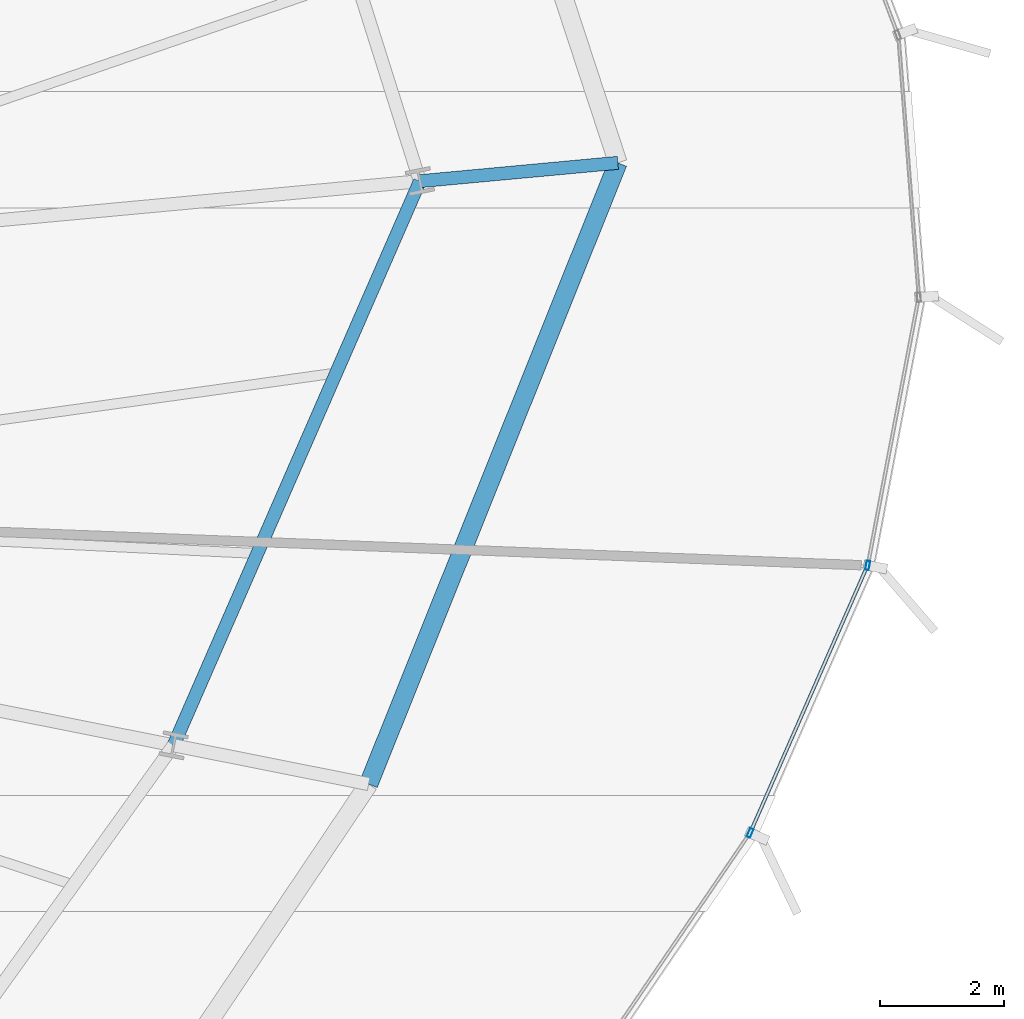
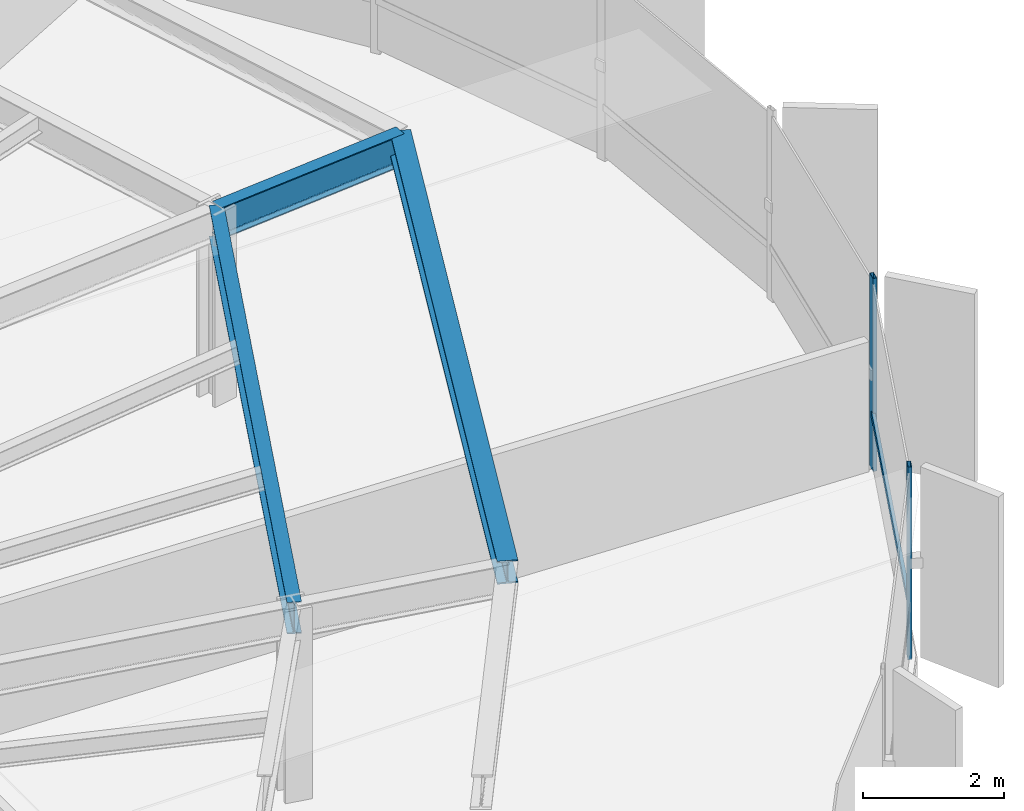
# One storey, part 15 of 35: 3 beams, 3 members, 1 element without a shape of its own.
"""IFC4 building model written with IfcOpenShell, lengths in metres."""

import ifcopenshell
import ifcopenshell.guid

model = None  # the IFC model being written
_history = None  # IfcOwnerHistory: only IFC2X3 demands one
_inside = {}  # id of a spatial element -> (the spatial element, [elements in it])
_under = {}  # id of a project, library or spatial element -> (it, [spatial elements below it])
_declared = {}  # id of a project -> (the project, [libraries it declares])
_typed = {}  # id of a type object -> (the type object, [elements of that type])
_made_of = {}  # id of a material, layer set ... -> (it, [elements and type objects made of it])


def new_model(schema):
    """Start an empty IFC model of exactly this schema.

    Asked for "IFC4X3", IfcOpenShell would pick the latest addendum, in which some entities
    have other attributes; the version numbers below select the first issue.
    IFC2X3 requires an IfcOwnerHistory on every rooted entity: one is made here for all.
    """
    global model, _history
    if schema == "IFC4X3":
        model = ifcopenshell.file(schema_version=(4, 3, 0, 0))
    else:
        model = ifcopenshell.file(schema=schema)
    _inside.clear()
    _under.clear()
    _declared.clear()
    _typed.clear()
    _made_of.clear()
    _history = None
    if model.schema == "IFC2X3":
        org = make("IfcOrganization", Name="unknown")
        user = make(
            "IfcPersonAndOrganization",
            ThePerson=make("IfcPerson", FamilyName="unknown"),
            TheOrganization=org,
        )
        app = make(
            "IfcApplication",
            ApplicationDeveloper=org,
            Version="unknown",
            ApplicationFullName="unknown",
            ApplicationIdentifier="unknown",
        )
        _history = make(
            "IfcOwnerHistory",
            OwningUser=user,
            OwningApplication=app,
            ChangeAction="ADDED",
            CreationDate=0,
        )
    return model


def make(cls, **values):
    """One entity of the class cls with the attributes given. An attribute that is None is left unset."""
    return model.create_entity(
        cls, **{name: value for name, value in values.items() if value is not None}
    )


def rooted(cls, **values):
    """An entity with a GlobalId (a new one), such as an element, a storey or a relation."""
    return make(cls, GlobalId=ifcopenshell.guid.new(), OwnerHistory=_history, **values)


def si_unit(unit_type, name, prefix=None):
    """IfcSIUnit, for example si_unit("LENGTHUNIT", "METRE", prefix="MILLI")."""
    return make("IfcSIUnit", UnitType=unit_type, Prefix=prefix, Name=name)


def assignment(units):
    """IfcUnitAssignment: the units of a project."""
    return None if units is None else make("IfcUnitAssignment", Units=units)


def point(xyz):
    """IfcCartesianPoint."""
    return None if xyz is None else make("IfcCartesianPoint", Coordinates=xyz)


def direction(xyz):
    """IfcDirection."""
    return None if xyz is None else make("IfcDirection", DirectionRatios=xyz)


def frame(location, z_axis=None, x_axis=None):
    """IfcAxis2Placement3D, a coordinate frame: its origin and axes. An axis left out is left unset."""
    return make(
        "IfcAxis2Placement3D",
        Location=point(location),
        Axis=direction(z_axis),
        RefDirection=direction(x_axis),
    )


def frame_2d(location, x_axis=None):
    """IfcAxis2Placement2D, a coordinate frame in the plane: its origin and x axis."""
    return make(
        "IfcAxis2Placement2D", Location=point(location), RefDirection=direction(x_axis)
    )


def origin():
    """The frame at (0, 0, 0) with its axes left unset."""
    return frame((0.0, 0.0, 0.0))


def origin_2d():
    """The frame at (0, 0) in the plane with its x axis left unset."""
    return frame_2d((0.0, 0.0))


def place(relative_to, where):
    """IfcLocalPlacement: puts the frame where relative to a parent placement (None: the world)."""
    return make(
        "IfcLocalPlacement", PlacementRelTo=relative_to, RelativePlacement=where
    )


def context(
    kind, dimensions, precision=None, world=None, true_north=None, identifier=None
):
    """IfcGeometricRepresentationContext, for example the 3D "Model" context."""
    return make(
        "IfcGeometricRepresentationContext",
        ContextIdentifier=identifier,
        ContextType=kind,
        CoordinateSpaceDimension=dimensions,
        Precision=precision,
        WorldCoordinateSystem=world,
        TrueNorth=true_north,
    )


def subcontext(parent, identifier, kind, view, scale=None):
    """IfcGeometricRepresentationSubContext, for example "Body" below "Model"."""
    return make(
        "IfcGeometricRepresentationSubContext",
        ContextIdentifier=identifier,
        ContextType=kind,
        ParentContext=parent,
        TargetScale=scale,
        TargetView=view,
    )


def project(units=None, contexts=None):
    """IfcProject with its units and contexts."""
    return rooted(
        "IfcProject",
        Name="project",
        RepresentationContexts=contexts,
        UnitsInContext=assignment(units),
    )


def spatial(cls, under=None, at=None, **own):
    """A site, building, storey or space (cls), placed at a placement, below another one or the project."""
    s = rooted(cls, ObjectPlacement=at, **own)
    if under is not None:
        _under.setdefault(under.id(), (under, []))[1].append(s)
    return s


def profile(cls, at=None, kind="AREA", **sizes):
    """A parametric profile (cls). Its sizes go by their IFC names, for example OverallWidth=200.0."""
    return make(cls, ProfileType=kind, Position=at, **sizes)


def hollow_rectangle(**sizes):
    """IfcRectangleHollowProfileDef."""
    return profile("IfcRectangleHollowProfileDef", **sizes)


def i_section(**sizes):
    """IfcIShapeProfileDef."""
    return profile("IfcIShapeProfileDef", **sizes)


def extrude(swept, where, along, depth):
    """IfcExtrudedAreaSolid: the profile swept, set in the frame where, extruded along a direction by depth."""
    return make(
        "IfcExtrudedAreaSolid",
        SweptArea=swept,
        Position=where,
        ExtrudedDirection=direction(along),
        Depth=depth,
    )


def shape(context_of_items, identifier, shape_type, items):
    """IfcShapeRepresentation: the items that make up one representation, for example the "Body"."""
    return make(
        "IfcShapeRepresentation",
        ContextOfItems=context_of_items,
        RepresentationIdentifier=identifier,
        RepresentationType=shape_type,
        Items=items,
    )


def source(mapping_origin, context_of_items, identifier, shape_type, items):
    """IfcRepresentationMap: a shape defined once, which mapped items show again and again."""
    return make(
        "IfcRepresentationMap",
        MappingOrigin=mapping_origin,
        MappedRepresentation=shape(context_of_items, identifier, shape_type, items),
    )


def transform(
    local_origin,
    x_axis=None,
    y_axis=None,
    z_axis=None,
    scale=None,
    scale2=None,
    scale3=None,
    uniform=True,
):
    """IfcCartesianTransformationOperator3D, or its non-uniform kind. x_axis, y_axis, z_axis: its Axis1, 2, 3."""
    if uniform:
        return make(
            "IfcCartesianTransformationOperator3D",
            Axis1=direction(x_axis),
            Axis2=direction(y_axis),
            LocalOrigin=point(local_origin),
            Scale=scale,
            Axis3=direction(z_axis),
        )
    return make(
        "IfcCartesianTransformationOperator3DnonUniform",
        Axis1=direction(x_axis),
        Axis2=direction(y_axis),
        LocalOrigin=point(local_origin),
        Scale=scale,
        Axis3=direction(z_axis),
        Scale2=scale2,
        Scale3=scale3,
    )


def mapped(mapping_source, mapping_target):
    """IfcMappedItem: shows the shape of a source again, moved by a transform."""
    return make(
        "IfcMappedItem", MappingSource=mapping_source, MappingTarget=mapping_target
    )


def material(Name=None, Category=None):
    """IfcMaterial."""
    return make("IfcMaterial", Name=Name, Category=Category)


def layer(
    of_material, thickness, ventilated=None, Name=None, Category=None, Priority=None
):
    """IfcMaterialLayer: one layer of a wall or slab, of a material (None: an air gap)."""
    return make(
        "IfcMaterialLayer",
        Material=of_material,
        LayerThickness=thickness,
        IsVentilated=ventilated,
        Name=Name,
        Category=Category,
        Priority=Priority,
    )


def layer_set(layers, Name=None):
    """IfcMaterialLayerSet."""
    return make("IfcMaterialLayerSet", MaterialLayers=layers, LayerSetName=Name)


def material_profile(
    of_material, cross_section, Name=None, Category=None, Priority=None
):
    """IfcMaterialProfile: a cross section and its material."""
    return make(
        "IfcMaterialProfile",
        Name=Name,
        Material=of_material,
        Profile=cross_section,
        Priority=Priority,
        Category=Category,
    )


def profile_set(profiles, Name=None, composite=None):
    """IfcMaterialProfileSet."""
    return make(
        "IfcMaterialProfileSet",
        Name=Name,
        MaterialProfiles=profiles,
        CompositeProfile=composite,
    )


def made_of(thing, what):
    """Note that an element or type object is made of a material, layer set ...; save() writes the relation."""
    if what is not None:
        _made_of.setdefault(what.id(), (what, []))[1].append(thing)
    return thing


def type_object(cls, material=None, **own):
    """A type object (cls), such as IfcWallType, which elements share."""
    return made_of(rooted(cls, **own), material)


def element(
    cls,
    number,
    at=None,
    inside=None,
    cuts=None,
    type_object=None,
    material=None,
    context=None,
    identifier="Body",
    shape_type=None,
    held_by="IfcProductDefinitionShape",
    body=None,
    shapes=None,
    **own,
):
    """One element of the class cls, such as IfcWall. Its Tag is "e" and its number.

    at: its placement. inside: the storey or other place that contains it. cuts: it is an
    opening in that element (IfcRelVoidsElement). A single representation is given by context,
    identifier, shape_type and body (its items); several are given by shapes. held_by: the class
    of the entity that holds the representations. save() writes the other relations.
    """
    e = rooted(cls, Tag="e%d" % number, ObjectPlacement=at, **own)
    if body is not None:
        shapes = [shape(context, identifier, shape_type, body)]
    if shapes is not None:
        e.Representation = make(held_by, Representations=shapes)
    if inside is not None:
        _inside.setdefault(inside.id(), (inside, []))[1].append(e)
    if cuts is not None:
        rooted(
            "IfcRelVoidsElement", RelatingBuildingElement=cuts, RelatedOpeningElement=e
        )
    if type_object is not None:
        _typed.setdefault(type_object.id(), (type_object, []))[1].append(e)
    return made_of(e, material)


def aggregate(whole, parts):
    """IfcRelAggregates: a whole, such as a stair, and the parts it consists of."""
    return rooted("IfcRelAggregates", RelatingObject=whole, RelatedObjects=parts)


def save(model, path):
    """Write the relations noted so far, then the file.

    IfcRelAggregates (storeys below a building ...), IfcRelContainedInSpatialStructure (elements
    in a storey), IfcRelDefinesByType, IfcRelAssociatesMaterial and IfcRelDeclares: one each for
    every whole, place, type object, material and project.
    """
    for whole, parts in _under.values():
        aggregate(whole, parts)
    for where, things in _inside.values():
        rooted(
            "IfcRelContainedInSpatialStructure",
            RelatedElements=things,
            RelatingStructure=where,
        )
    for kind, things in _typed.values():
        rooted("IfcRelDefinesByType", RelatedObjects=things, RelatingType=kind)
    for what, things in _made_of.values():
        rooted("IfcRelAssociatesMaterial", RelatedObjects=things, RelatingMaterial=what)
    for by, libraries in _declared.values():
        rooted("IfcRelDeclares", RelatingContext=by, RelatedDefinitions=libraries)
    model.write(path)


model = new_model("IFC4")

# Units and contexts
model_context = context("Model", 3, precision=1e-05, world=origin(), true_north=direction((0.0, 1.0)))
body_context = subcontext(model_context, "Body", "Model", "MODEL_VIEW")
ifc_project = project(units=[si_unit("LENGTHUNIT", "METRE"), si_unit("AREAUNIT", "SQUARE_METRE"), si_unit("VOLUMEUNIT", "CUBIC_METRE"), si_unit("PLANEANGLEUNIT", "RADIAN"), si_unit("MASSUNIT", "GRAM", prefix="KILO"), si_unit("THERMODYNAMICTEMPERATUREUNIT", "KELVIN")], contexts=[model_context])

# Site, building, storey
site_placement = place(None, origin())
site = spatial("IfcSite", under=ifc_project, at=site_placement, CompositionType="ELEMENT")
building_placement = place(site_placement, origin())
building = spatial("IfcBuilding", under=site, at=building_placement, Name="Kethvar Cultural Tower", CompositionType="ELEMENT")
storey_placement = place(building_placement, frame((0.0, 0.0, 85.60009765625)))
storey = spatial("IfcBuildingStorey", under=building, at=storey_placement, Name="L20", CompositionType="ELEMENT", Elevation=85.60009765625)

# Beams
ifc_material_1 = material(Name="Steel S355J2", Category="steel")
ifc_material_profile_1 = material_profile(ifc_material_1, i_section(OverallWidth=0.2099609375, OverallDepth=0.550048828125, WebThickness=0.010986328125, FlangeThickness=0.01708984375, FilletRadius=0.02392578125, at=origin_2d()), Name="Steel S355J2 — IPE550")
ifc_profile_set_1 = profile_set([ifc_material_profile_1], Name="Steel S355J2 — IPE550")
beam_type_1 = type_object("IfcBeamType", Name="BM-IPE550", PredefinedType="BEAM", material=ifc_profile_set_1)
shared_shape_1 = source(origin(), body_context, "Body", "SweptSolid", [
    extrude(i_section(OverallWidth=0.2099609375, OverallDepth=0.550048828125, WebThickness=0.010986328125, FlangeThickness=0.01708984375, FilletRadius=0.02392578125, at=origin_2d()), origin(), (0.0, 0.0, 1.0), 3.199951171875),
])
beam_1_placement = place(storey_placement, frame((71.6025390625, 32.7333984375, 3.072998046875), z_axis=(0.995729641608, 0.092317283453, 0.0), x_axis=(-0.092317283453, 0.995729641608, 0.0)))
element("IfcBeam", 1, at=beam_1_placement, inside=storey, type_object=beam_type_1, Name="L20 Perimeter Cantilever Beam RC-01", PredefinedType="BEAM", context=body_context, shape_type="MappedRepresentation", body=[
    mapped(shared_shape_1, transform((0.0, 0.0, 0.0), scale=1.0)),
])
shared_shape_2 = source(origin(), body_context, "Body", "SweptSolid", [
    extrude(i_section(OverallWidth=0.2099609375, OverallDepth=0.550048828125, WebThickness=0.010986328125, FlangeThickness=0.01708984375, FilletRadius=0.02392578125, at=origin_2d()), origin(), (0.0, 0.0, 1.0), 9.90625),
])
beam_2_placement = place(storey_placement, frame((67.638671875, 23.65478515625, 3.072998046875), z_axis=(0.400138679026, 0.916454602011, 0.0), x_axis=(-0.916454602011, 0.400138679026, 0.0)))
element("IfcBeam", 2, at=beam_2_placement, inside=storey, type_object=beam_type_1, Name="L20 Column Ring Tie Beam CR-16", PredefinedType="BEAM", context=body_context, shape_type="MappedRepresentation", body=[
    mapped(shared_shape_2, transform((0.0, 0.0, 0.0), scale=1.0)),
])
ifc_material_profile_2 = material_profile(ifc_material_1, i_section(OverallWidth=0.300048828125, OverallDepth=0.39990234375, WebThickness=0.013427734375, FlangeThickness=0.02392578125, FilletRadius=0.027099609375, at=origin_2d()), Name="Steel S355J2 — HEB400")
ifc_profile_set_2 = profile_set([ifc_material_profile_2], Name="Steel S355J2 — HEB400")
beam_type_2 = type_object("IfcBeamType", Name="BM-SP400", PredefinedType="SPANDREL", material=ifc_profile_set_2)
shared_shape_3 = source(origin(), body_context, "Body", "SweptSolid", [
    extrude(i_section(OverallWidth=0.300048828125, OverallDepth=0.39990234375, WebThickness=0.013427734375, FlangeThickness=0.02392578125, FilletRadius=0.027099609375, at=origin_2d()), origin(), (0.0, 0.0, 1.0), 10.773193359375),
])
beam_3_placement = place(storey_placement, frame((70.777099609375, 23.030517578125, 3.14794921875), z_axis=(0.372382905959, 0.928079183771, 0.0), x_axis=(-0.928079183771, 0.372382905959, 0.0)))
element("IfcBeam", 3, at=beam_3_placement, inside=storey, type_object=beam_type_2, Name="L20 Perimeter Spandrel Beam SP-16", PredefinedType="SPANDREL", context=body_context, shape_type="MappedRepresentation", body=[
    mapped(shared_shape_3, transform((0.0, 0.0, 0.0), scale=1.0)),
])

# Curtain wall, members
ifc_material_2 = material(Name="Aluminium 6063-T6", Category="aluminium")
ifc_layer = layer(ifc_material_2, 0.179931640625, Name="Aluminium 6063-T6", Category="aluminium")
ifc_layer_set = layer_set([ifc_layer], Name="Aluminium 6063-T6 (180 mm)")
curtain_wall_type = type_object("IfcCurtainWallType", Name="CW-SYS-03-Z2", PredefinedType="NOTDEFINED", material=ifc_layer_set)
curtain_wall_placement = place(storey_placement, origin())
curtain_wall = element("IfcCurtainWall", 4, at=curtain_wall_placement, inside=storey, type_object=curtain_wall_type, Name="L20 Curtain Wall Run 06", PredefinedType="NOTDEFINED")
ifc_material_profile_3 = material_profile(ifc_material_2, hollow_rectangle(XDim=0.06005859375, YDim=0.14990234375, WallThickness=0.0048828125, at=origin_2d()), Name="Aluminium 6063-T6 — RHS150x60x5")
ifc_profile_set_3 = profile_set([ifc_material_profile_3], Name="Aluminium 6063-T6 — RHS150x60x5")
member_type_1 = type_object("IfcMemberType", Name="CW-SYS-03-Z2-MUL", PredefinedType="MULLION", material=ifc_profile_set_3)
shared_shape_4 = source(origin(), body_context, "Body", "SweptSolid", [
    extrude(hollow_rectangle(XDim=0.06005859375, YDim=0.14990234375, WallThickness=0.0048828125, at=origin_2d()), origin(), (0.0, 0.0, 1.0), 3.349853515625),
])
member_1_placement = place(storey_placement, frame((76.916748046875, 22.244140625, 0.0), z_axis=(0.0, 0.0, 1.0), x_axis=(-0.915627513292, 0.402027681761, 0.0)))
member_1 = element("IfcMember", 5, at=member_1_placement, type_object=member_type_1, Name="CW-L20-R06 Mullion 4", PredefinedType="MULLION", context=body_context, shape_type="MappedRepresentation", body=[
    mapped(shared_shape_4, transform((0.0, 0.0, 0.0), scale=1.0)),
])
member_2_placement = place(storey_placement, frame((78.81005859375, 26.548828125, 0.0), z_axis=(0.0, 0.0, 1.0), x_axis=(-0.98244388621, 0.186558329883, 0.0)))
member_2 = element("IfcMember", 6, at=member_2_placement, type_object=member_type_1, Name="CW-L20-R06 Mullion 5", PredefinedType="MULLION", context=body_context, shape_type="MappedRepresentation", body=[
    mapped(shared_shape_4, transform((0.0, 0.0, 0.0), scale=1.0)),
])
ifc_material_profile_4 = material_profile(ifc_material_2, hollow_rectangle(XDim=0.054931640625, YDim=0.1201171875, WallThickness=0.00390625, at=origin_2d()), Name="Aluminium 6063-T6 — RHS120x55x4")
ifc_profile_set_4 = profile_set([ifc_material_profile_4], Name="Aluminium 6063-T6 — RHS120x55x4")
member_type_2 = type_object("IfcMemberType", Name="CW-SYS-03-Z2-TRN", PredefinedType="USERDEFINED", material=ifc_profile_set_4)
shared_shape_5 = source(origin(), body_context, "Body", "SweptSolid", [
    extrude(hollow_rectangle(XDim=0.054931640625, YDim=0.1201171875, WallThickness=0.00390625, at=origin_2d()), origin(), (0.0, 0.0, 1.0), 4.64208984375),
])
member_3_placement = place(storey_placement, frame((76.93408203125, 22.28369140625, 0.949951171875), z_axis=(0.402015872781, 0.91563269821, 0.0), x_axis=(-0.91563269821, 0.402015872781, 0.0)))
member_3 = element("IfcMember", 7, at=member_3_placement, type_object=member_type_2, Name="CW-L20-R06 Transom 4", ObjectType="TRANSOM", PredefinedType="USERDEFINED", context=body_context, shape_type="MappedRepresentation", body=[
    mapped(shared_shape_5, transform((0.0, 0.0, 0.0), scale=1.0)),
])
aggregate(curtain_wall, [member_1, member_2, member_3])

save(model, "model.ifc")
